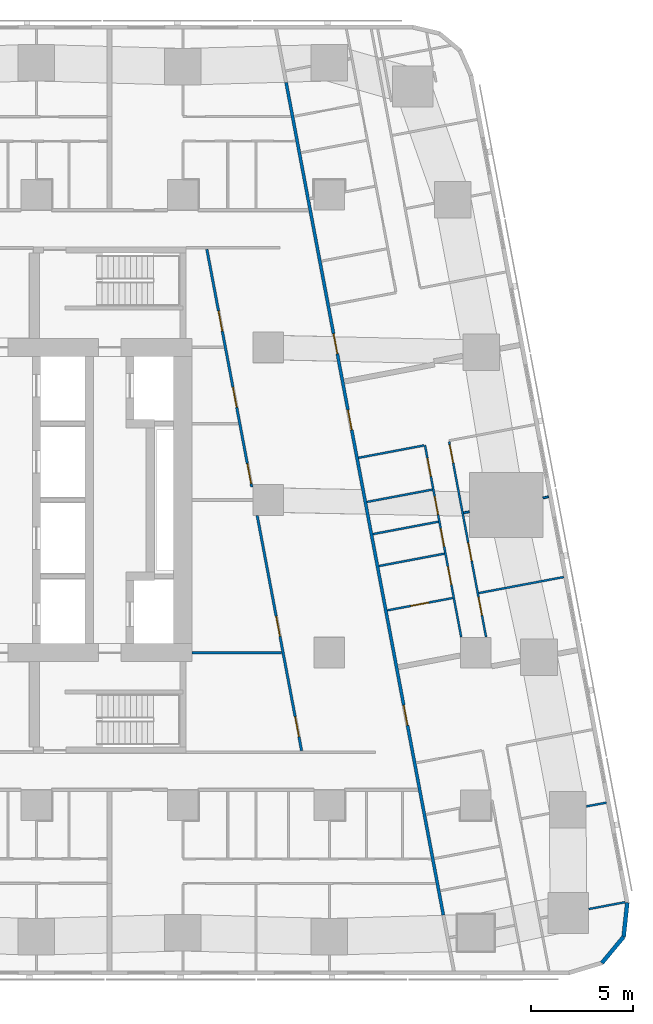
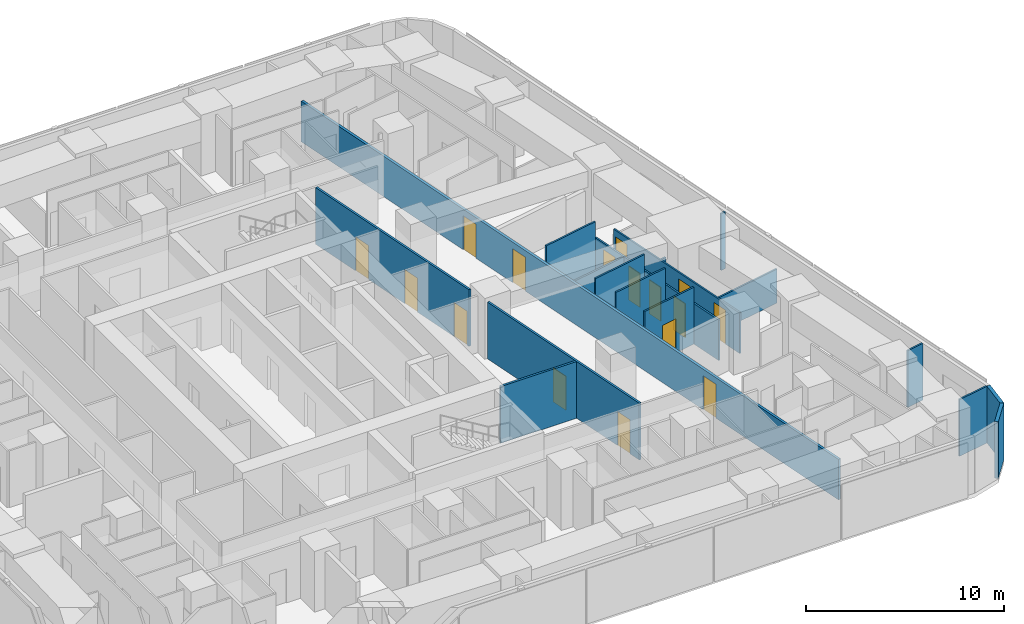
# One storey, part 7 of 15: 18 walls, 16 doors, 16 openings.
"""IFC4 building model written with IfcOpenShell, lengths in metres."""

from ifc_helpers import new_model, si_unit, direction, frame, frame_2d, origin, place, context, subcontext, project, spatial, rectangle, extrude, material, layer, layer_set, type_object, element, fill, save


model = new_model("IFC4")

# Units and contexts
model_context = context("Model", 3, precision=1e-05, world=origin(), true_north=direction((0.0, 1.0)))
body_context = subcontext(model_context, "Body", "Model", "MODEL_VIEW")
ifc_project = project(units=[si_unit("LENGTHUNIT", "METRE"), si_unit("AREAUNIT", "SQUARE_METRE"), si_unit("VOLUMEUNIT", "CUBIC_METRE"), si_unit("PLANEANGLEUNIT", "RADIAN"), si_unit("MASSUNIT", "GRAM", prefix="KILO")], contexts=[model_context])

# Site, building, storey
site_placement = place(None, origin())
site = spatial("IfcSite", under=ifc_project, at=site_placement, CompositionType="ELEMENT")
building_placement = place(site_placement, origin())
building = spatial("IfcBuilding", under=site, at=building_placement, Name="Sheger Commons Tower", CompositionType="ELEMENT")
storey_placement = place(building_placement, frame((0.0, 0.0, 150.800048828125)))
storey = spatial("IfcBuildingStorey", under=building, at=storey_placement, Name="L38", CompositionType="ELEMENT", Elevation=150.800048828125)

# Wall, openings, doors
ifc_material_1 = material(Name="Hollow concrete block masonry, skimmed both sides", Category="masonry")
ifc_layer_1 = layer(ifc_material_1, 0.14990234375)
ifc_layer_set_1 = layer_set([ifc_layer_1], Name="CORRIDOR WALL 150")
wall_type_1 = type_object("IfcWallType", Name="CORRIDOR WALL 150", PredefinedType="SOLIDWALL", material=ifc_layer_set_1)
wall_1_placement = place(storey_placement, frame((33.876953125, 43.029052734375, 0.0), z_axis=(0.0, 0.0, 1.0), x_axis=(0.185596841028, -0.98262597798, 0.0)))
wall_1 = element("IfcWall", 1, at=wall_1_placement, inside=storey, type_object=wall_type_1, Name="Corridor wall L38", PredefinedType="SOLIDWALL", context=body_context, shape_type="SweptSolid", body=[
    extrude(rectangle(XDim=41.659912109375, YDim=0.14990234375, at=frame_2d((20.830078125, 0.0))), origin(), (0.0, 0.0, 1.0), 2.5),
])
opening_1_placement = place(wall_1_placement, frame((12.570068359375, 0.0, 0.0)))
opening_1 = element("IfcOpeningElement", 2, at=opening_1_placement, cuts=wall_1, Name="Opening D1", PredefinedType="OPENING", context=body_context, shape_type="SweptSolid", body=[
    extrude(rectangle(XDim=1.0, YDim=2.10009765625, at=frame_2d((0.5, 1.050048828125))), frame((0.0, 0.0849609375, 0.0), z_axis=(0.0, -1.0, 0.0), x_axis=(1.0, 0.0, 0.0)), (0.0, 0.0, 1.0), 0.169921875),
])
opening_2_placement = place(wall_1_placement, frame((16.385986328125, 0.0, 0.0)))
opening_2 = element("IfcOpeningElement", 3, at=opening_2_placement, cuts=wall_1, Name="Opening D1", PredefinedType="OPENING", context=body_context, shape_type="SweptSolid", body=[
    extrude(rectangle(XDim=1.0, YDim=2.10009765625, at=frame_2d((0.5, 1.050048828125))), frame((0.0, 0.0849609375, 0.0), z_axis=(0.0, -1.0, 0.0), x_axis=(1.0, 0.0, 0.0)), (0.0, 0.0, 1.0), 0.169921875),
])
opening_3_placement = place(wall_1_placement, frame((31.166015625, 0.0, 0.0)))
opening_3 = element("IfcOpeningElement", 4, at=opening_3_placement, cuts=wall_1, Name="Opening D1", PredefinedType="OPENING", context=body_context, shape_type="SweptSolid", body=[
    extrude(rectangle(XDim=1.0, YDim=2.10009765625, at=frame_2d((0.5, 1.050048828125))), frame((0.0, 0.0849609375, 0.0), z_axis=(0.0, -1.0, 0.0), x_axis=(1.0, 0.0, 0.0)), (0.0, 0.0, 1.0), 0.169921875),
])
ifc_material_2 = material(Name="Steel door set, fire rated", Category="steel")
door_type_1 = type_object("IfcDoorType", Name="FLAT ENTRANCE DOOR 1000x2100", OperationType="NOTDEFINED", PredefinedType="DOOR", material=ifc_material_2)
door_1_placement = place(opening_1_placement, origin())
door_1 = element("IfcDoor", 5, at=door_1_placement, inside=storey, type_object=door_type_1, Name="Flat entrance door", OperationType="SINGLE_SWING_LEFT", OverallHeight=2.10009765625, OverallWidth=1.0, PredefinedType="DOOR", context=body_context, shape_type="SweptSolid", body=[
    extrude(rectangle(XDim=1.0, YDim=2.10009765625, at=frame_2d((0.5, 1.050048828125))), frame((0.0, 0.02490234375, 0.0), z_axis=(0.0, -1.0, 0.0), x_axis=(1.0, 0.0, 0.0)), (0.0, 0.0, 1.0), 0.050048828125),
])
fill(opening_1, door_1)
door_2_placement = place(opening_2_placement, origin())
door_2 = element("IfcDoor", 6, at=door_2_placement, inside=storey, type_object=door_type_1, Name="Flat entrance door", OperationType="SINGLE_SWING_RIGHT", OverallHeight=2.10009765625, OverallWidth=1.0, PredefinedType="DOOR", context=body_context, shape_type="SweptSolid", body=[
    extrude(rectangle(XDim=1.0, YDim=2.10009765625, at=frame_2d((0.5, 1.050048828125))), frame((0.0, 0.02490234375, 0.0), z_axis=(0.0, -1.0, 0.0), x_axis=(1.0, 0.0, 0.0)), (0.0, 0.0, 1.0), 0.050048828125),
])
fill(opening_2, door_2)
door_3_placement = place(opening_3_placement, origin())
door_3 = element("IfcDoor", 7, at=door_3_placement, inside=storey, type_object=door_type_1, Name="Flat entrance door", OperationType="SINGLE_SWING_LEFT", OverallHeight=2.10009765625, OverallWidth=1.0, PredefinedType="DOOR", context=body_context, shape_type="SweptSolid", body=[
    extrude(rectangle(XDim=1.0, YDim=2.10009765625, at=frame_2d((0.5, 1.050048828125))), frame((0.0, 0.02490234375, 0.0), z_axis=(0.0, -1.0, 0.0), x_axis=(1.0, 0.0, 0.0)), (0.0, 0.0, 1.0), 0.050048828125),
])
fill(opening_3, door_3)

# Walls
ifc_material_3 = material(Name="Rendered concrete block masonry, dark grey", Category="masonry")
ifc_layer_2 = layer(ifc_material_3, 0.199951171875)
ifc_layer_set_2 = layer_set([ifc_layer_2], Name="FACADE WALL 200")
wall_type_2 = type_object("IfcWallType", Name="FACADE WALL 200", PredefinedType="SOLIDWALL", material=ifc_layer_set_2)
wall_2_placement = place(storey_placement, frame((49.406982421875, -0.262939453125, 0.0), z_axis=(0.0, 0.0, 1.0), x_axis=(0.638042593423, 0.770001070764, 0.0)))
element("IfcWall", 8, at=wall_2_placement, inside=storey, type_object=wall_type_2, Name="Facade wall L38", PredefinedType="SOLIDWALL", context=body_context, shape_type="SweptSolid", body=[
    extrude(rectangle(XDim=1.672607421875, YDim=0.199951171875, at=frame_2d((0.83642578125, 0.0))), origin(), (0.0, 0.0, 1.0), 3.5),
])
wall_3_placement = place(storey_placement, frame((50.47412109375, 1.02490234375, 0.0), z_axis=(0.0, 0.0, 1.0), x_axis=(0.106047815515, 0.994361031429, 0.0)))
element("IfcWall", 9, at=wall_3_placement, inside=storey, type_object=wall_type_2, Name="Facade wall L38", PredefinedType="SOLIDWALL", context=body_context, shape_type="SweptSolid", body=[
    extrude(rectangle(XDim=1.6875, YDim=0.199951171875, at=frame_2d((0.84375, 0.0))), origin(), (0.0, 0.0, 1.0), 3.5),
])

# Wall, openings, doors
ifc_material_4 = material(Name="Gypsum board on steel studs", Category="steel")
ifc_layer_3 = layer(ifc_material_4, 0.10009765625)
ifc_layer_set_3 = layer_set([ifc_layer_3], Name="PARTITION 100")
wall_type_3 = type_object("IfcWallType", Name="PARTITION 100", PredefinedType="PARTITIONING", material=ifc_layer_set_3)
wall_4_placement = place(storey_placement, frame((41.89404296875, 25.365966796875, 0.0), z_axis=(0.0, 0.0, 1.0), x_axis=(0.1856544654, -0.982615092229, 0.0)))
wall_4 = element("IfcWall", 10, at=wall_4_placement, inside=storey, type_object=wall_type_3, Name="Partition L38", PredefinedType="PARTITIONING", context=body_context, shape_type="SweptSolid", body=[
    extrude(rectangle(XDim=9.77587890625, YDim=0.10009765625, at=frame_2d((4.887939453125, 0.0))), origin(), (0.0, 0.0, 1.0), 2.5),
])
opening_4_placement = place(wall_4_placement, frame((0.15087890625, 0.0, 0.0)))
opening_4 = element("IfcOpeningElement", 11, at=opening_4_placement, cuts=wall_4, Name="Opening D2", PredefinedType="OPENING", context=body_context, shape_type="SweptSolid", body=[
    extrude(rectangle(XDim=0.89990234375, YDim=2.10009765625, at=frame_2d((0.449951171875, 1.050048828125))), frame((0.0, 0.06005859375, 0.0), z_axis=(0.0, -1.0, 0.0), x_axis=(1.0, 0.0, 0.0)), (0.0, 0.0, 1.0), 0.1201171875),
])
opening_5_placement = place(wall_4_placement, frame((5.050048828125, 0.0, 0.0)))
opening_5 = element("IfcOpeningElement", 12, at=opening_5_placement, cuts=wall_4, Name="Opening D2", PredefinedType="OPENING", context=body_context, shape_type="SweptSolid", body=[
    extrude(rectangle(XDim=0.89990234375, YDim=2.10009765625, at=frame_2d((0.449951171875, 1.050048828125))), frame((0.0, 0.06005859375, 0.0), z_axis=(0.0, -1.0, 0.0), x_axis=(1.0, 0.0, 0.0)), (0.0, 0.0, 1.0), 0.1201171875),
])
opening_6_placement = place(wall_4_placement, frame((7.782958984375, 0.0, 0.0)))
opening_6 = element("IfcOpeningElement", 13, at=opening_6_placement, cuts=wall_4, Name="Opening D2", PredefinedType="OPENING", context=body_context, shape_type="SweptSolid", body=[
    extrude(rectangle(XDim=0.89990234375, YDim=2.10009765625, at=frame_2d((0.449951171875, 1.050048828125))), frame((0.0, 0.06005859375, 0.0), z_axis=(0.0, -1.0, 0.0), x_axis=(1.0, 0.0, 0.0)), (0.0, 0.0, 1.0), 0.1201171875),
])
ifc_material_5 = material(Name="Timber door set", Category="wood")
door_type_2 = type_object("IfcDoorType", Name="INTERNAL DOOR 900x2100", OperationType="NOTDEFINED", PredefinedType="DOOR", material=ifc_material_5)
door_4_placement = place(opening_4_placement, origin())
door_4 = element("IfcDoor", 14, at=door_4_placement, inside=storey, type_object=door_type_2, Name="Main bedroom door", OperationType="SINGLE_SWING_LEFT", OverallHeight=2.10009765625, OverallWidth=0.89990234375, PredefinedType="DOOR", context=body_context, shape_type="SweptSolid", body=[
    extrude(rectangle(XDim=0.89990234375, YDim=2.10009765625, at=frame_2d((0.449951171875, 1.050048828125))), frame((0.0, 0.02490234375, 0.0), z_axis=(0.0, -1.0, 0.0), x_axis=(1.0, 0.0, 0.0)), (0.0, 0.0, 1.0), 0.050048828125),
])
fill(opening_4, door_4)
door_5_placement = place(opening_5_placement, origin())
door_5 = element("IfcDoor", 15, at=door_5_placement, inside=storey, type_object=door_type_2, Name="Bedroom 2 door", OperationType="SINGLE_SWING_LEFT", OverallHeight=2.10009765625, OverallWidth=0.89990234375, PredefinedType="DOOR", context=body_context, shape_type="SweptSolid", body=[
    extrude(rectangle(XDim=0.89990234375, YDim=2.10009765625, at=frame_2d((0.449951171875, 1.050048828125))), frame((0.0, 0.02490234375, 0.0), z_axis=(0.0, -1.0, 0.0), x_axis=(1.0, 0.0, 0.0)), (0.0, 0.0, 1.0), 0.050048828125),
])
fill(opening_5, door_5)
door_6_placement = place(opening_6_placement, origin())
door_6 = element("IfcDoor", 16, at=door_6_placement, inside=storey, type_object=door_type_2, Name="Bedroom 3 door", OperationType="SINGLE_SWING_LEFT", OverallHeight=2.10009765625, OverallWidth=0.89990234375, PredefinedType="DOOR", context=body_context, shape_type="SweptSolid", body=[
    extrude(rectangle(XDim=0.89990234375, YDim=2.10009765625, at=frame_2d((0.449951171875, 1.050048828125))), frame((0.0, 0.02490234375, 0.0), z_axis=(0.0, -1.0, 0.0), x_axis=(1.0, 0.0, 0.0)), (0.0, 0.0, 1.0), 0.050048828125),
])
fill(opening_6, door_6)

wall_5_placement = place(storey_placement, frame((40.7060546875, 25.19189453125, 0.0), z_axis=(0.0, 0.0, 1.0), x_axis=(0.185610321375, -0.982623431737, 0.0)))
wall_5 = element("IfcWall", 17, at=wall_5_placement, inside=storey, type_object=wall_type_3, Name="Partition L38", PredefinedType="PARTITIONING", context=body_context, shape_type="SweptSolid", body=[
    extrude(rectangle(XDim=9.6005859375, YDim=0.10009765625, at=frame_2d((4.80029296875, 0.0))), origin(), (0.0, 0.0, 1.0), 2.5),
])
opening_7_placement = place(wall_5_placement, frame((0.655029296875, 0.0, 0.0)))
opening_7 = element("IfcOpeningElement", 18, at=opening_7_placement, cuts=wall_5, Name="Opening D2", PredefinedType="OPENING", context=body_context, shape_type="SweptSolid", body=[
    extrude(rectangle(XDim=0.89990234375, YDim=2.10009765625, at=frame_2d((0.449951171875, 1.050048828125))), frame((0.0, 0.06005859375, 0.0), z_axis=(0.0, -1.0, 0.0), x_axis=(1.0, 0.0, 0.0)), (0.0, 0.0, 1.0), 0.1201171875),
])
opening_8_placement = place(wall_5_placement, frame((4.166015625, 0.0, 0.0)))
opening_8 = element("IfcOpeningElement", 19, at=opening_8_placement, cuts=wall_5, Name="Opening D2", PredefinedType="OPENING", context=body_context, shape_type="SweptSolid", body=[
    extrude(rectangle(XDim=0.89990234375, YDim=2.10009765625, at=frame_2d((0.449951171875, 1.050048828125))), frame((0.0, 0.06005859375, 0.0), z_axis=(0.0, -1.0, 0.0), x_axis=(1.0, 0.0, 0.0)), (0.0, 0.0, 1.0), 0.1201171875),
])
opening_9_placement = place(wall_5_placement, frame((2.56298828125, 0.0, 0.0)))
opening_9 = element("IfcOpeningElement", 20, at=opening_9_placement, cuts=wall_5, Name="Opening D2", PredefinedType="OPENING", context=body_context, shape_type="SweptSolid", body=[
    extrude(rectangle(XDim=0.89990234375, YDim=2.10009765625, at=frame_2d((0.449951171875, 1.050048828125))), frame((0.0, 0.06005859375, 0.0), z_axis=(0.0, -1.0, 0.0), x_axis=(1.0, 0.0, 0.0)), (0.0, 0.0, 1.0), 0.1201171875),
])
opening_10_placement = place(wall_5_placement, frame((6.073974609375, 0.0, 0.0)))
opening_10 = element("IfcOpeningElement", 21, at=opening_10_placement, cuts=wall_5, Name="Opening D2", PredefinedType="OPENING", context=body_context, shape_type="SweptSolid", body=[
    extrude(rectangle(XDim=0.89990234375, YDim=2.10009765625, at=frame_2d((0.449951171875, 1.050048828125))), frame((0.0, 0.06005859375, 0.0), z_axis=(0.0, -1.0, 0.0), x_axis=(1.0, 0.0, 0.0)), (0.0, 0.0, 1.0), 0.1201171875),
])
door_7_placement = place(opening_7_placement, origin())
door_7 = element("IfcDoor", 22, at=door_7_placement, inside=storey, type_object=door_type_2, Name="Bathroom door", OperationType="SINGLE_SWING_RIGHT", OverallHeight=2.10009765625, OverallWidth=0.89990234375, PredefinedType="DOOR", context=body_context, shape_type="SweptSolid", body=[
    extrude(rectangle(XDim=0.89990234375, YDim=2.10009765625, at=frame_2d((0.449951171875, 1.050048828125))), frame((0.0, 0.02490234375, 0.0), z_axis=(0.0, -1.0, 0.0), x_axis=(1.0, 0.0, 0.0)), (0.0, 0.0, 1.0), 0.050048828125),
])
fill(opening_7, door_7)
door_8_placement = place(opening_8_placement, origin())
door_8 = element("IfcDoor", 23, at=door_8_placement, inside=storey, type_object=door_type_2, Name="Shower room door", OperationType="SINGLE_SWING_LEFT", OverallHeight=2.10009765625, OverallWidth=0.89990234375, PredefinedType="DOOR", context=body_context, shape_type="SweptSolid", body=[
    extrude(rectangle(XDim=0.89990234375, YDim=2.10009765625, at=frame_2d((0.449951171875, 1.050048828125))), frame((0.0, 0.02490234375, 0.0), z_axis=(0.0, -1.0, 0.0), x_axis=(1.0, 0.0, 0.0)), (0.0, 0.0, 1.0), 0.050048828125),
])
fill(opening_8, door_8)
door_9_placement = place(opening_9_placement, origin())
door_9 = element("IfcDoor", 24, at=door_9_placement, inside=storey, type_object=door_type_2, Name="Store door", OperationType="SINGLE_SWING_LEFT", OverallHeight=2.10009765625, OverallWidth=0.89990234375, PredefinedType="DOOR", context=body_context, shape_type="SweptSolid", body=[
    extrude(rectangle(XDim=0.89990234375, YDim=2.10009765625, at=frame_2d((0.449951171875, 1.050048828125))), frame((0.0, 0.02490234375, 0.0), z_axis=(0.0, -1.0, 0.0), x_axis=(1.0, 0.0, 0.0)), (0.0, 0.0, 1.0), 0.050048828125),
])
fill(opening_9, door_9)
door_10_placement = place(opening_10_placement, origin())
door_10 = element("IfcDoor", 25, at=door_10_placement, inside=storey, type_object=door_type_2, Name="Store door", OperationType="SINGLE_SWING_RIGHT", OverallHeight=2.10009765625, OverallWidth=0.89990234375, PredefinedType="DOOR", context=body_context, shape_type="SweptSolid", body=[
    extrude(rectangle(XDim=0.89990234375, YDim=2.10009765625, at=frame_2d((0.449951171875, 1.050048828125))), frame((0.0, 0.02490234375, 0.0), z_axis=(0.0, -1.0, 0.0), x_axis=(1.0, 0.0, 0.0)), (0.0, 0.0, 1.0), 0.050048828125),
])
fill(opening_10, door_10)

# Walls
wall_6_placement = place(storey_placement, frame((46.781982421875, 22.656982421875, 0.0), z_axis=(0.0, 0.0, 1.0), x_axis=(-0.982574553168, -0.185868898601, 0.0)))
element("IfcWall", 26, at=wall_6_placement, inside=storey, type_object=wall_type_3, Name="Partition L38", PredefinedType="PARTITIONING", context=body_context, shape_type="SweptSolid", body=[
    extrude(rectangle(XDim=0.27978515625, YDim=0.10009765625, at=frame_2d((0.139892578125, 0.0))), origin(), (0.0, 0.0, 1.0), 3.5),
])
wall_7_placement = place(storey_placement, frame((42.886962890625, 21.9208984375, 0.0), z_axis=(0.0, 0.0, 1.0), x_axis=(-0.982688058078, -0.185267861514, 0.0)))
element("IfcWall", 27, at=wall_7_placement, inside=storey, type_object=wall_type_3, Name="Partition L38", PredefinedType="PARTITIONING", context=body_context, shape_type="SweptSolid", body=[
    extrude(rectangle(XDim=0.285888671875, YDim=0.10009765625, at=frame_2d((0.14306640625, 0.0))), origin(), (0.0, 0.0, 1.0), 2.5),
])
wall_8_placement = place(storey_placement, frame((47.527099609375, 18.7119140625, 0.0), z_axis=(0.0, 0.0, 1.0), x_axis=(-0.982665405803, -0.185387972203, 0.0)))
element("IfcWall", 28, at=wall_8_placement, inside=storey, type_object=wall_type_3, Name="Partition L38", PredefinedType="PARTITIONING", context=body_context, shape_type="SweptSolid", body=[
    extrude(rectangle(XDim=4.249755859375, YDim=0.10009765625, at=frame_2d((2.125, 0.0))), origin(), (0.0, 0.0, 1.0), 2.099853515625),
])
for number, where, z_axis, x_axis, name in (
    (29, (40.656982421875, 25.18310546875, 0.0), (0.0, 0.0, 1.0), (-0.982607026909, -0.185697147715, 0.0), "Partition L38"),
    (30, (41.364990234375, 21.43310546875, 0.0), (0.0, 0.0, 1.0), (-0.982607026909, -0.185697147715, 0.0), "Partition L38"),
):
    element("IfcWall", number, at=place(storey_placement, frame(where, z_axis=z_axis, x_axis=x_axis)), inside=storey, type_object=wall_type_3, Name=name, PredefinedType="PARTITIONING", context=body_context, shape_type="SweptSolid", body=[
        extrude(rectangle(XDim=3.27490234375, YDim=0.10009765625, at=frame_2d((1.637451171875, 0.0))), origin(), (0.0, 0.0, 1.0), 3.5),
    ])

# Wall, opening, door
wall_9_placement = place(storey_placement, frame((42.072998046875, 17.681884765625, 0.0), z_axis=(0.0, 0.0, 1.0), x_axis=(-0.982610347627, -0.185679575441, 0.0)))
wall_9 = element("IfcWall", 31, at=wall_9_placement, inside=storey, type_object=wall_type_3, Name="Partition L38", PredefinedType="PARTITIONING", context=body_context, shape_type="SweptSolid", body=[
    extrude(rectangle(XDim=3.27392578125, YDim=0.10009765625, at=frame_2d((1.636962890625, 0.0))), origin(), (0.0, 0.0, 1.0), 3.5),
])
opening_11_placement = place(wall_9_placement, frame((1.199951171875, 0.0, 0.0)))
opening_11 = element("IfcOpeningElement", 32, at=opening_11_placement, cuts=wall_9, Name="Opening D2", PredefinedType="OPENING", context=body_context, shape_type="SweptSolid", body=[
    extrude(rectangle(XDim=0.89990234375, YDim=2.10009765625, at=frame_2d((0.449951171875, 1.050048828125))), frame((0.0, 0.06005859375, 0.0), z_axis=(0.0, -1.0, 0.0), x_axis=(1.0, 0.0, 0.0)), (0.0, 0.0, 1.0), 0.1201171875),
])
door_11_placement = place(opening_11_placement, origin())
door_11 = element("IfcDoor", 33, at=door_11_placement, inside=storey, type_object=door_type_2, Name="Store door", OperationType="SINGLE_SWING_LEFT", OverallHeight=2.10009765625, OverallWidth=0.89990234375, PredefinedType="DOOR", context=body_context, shape_type="SweptSolid", body=[
    extrude(rectangle(XDim=0.89990234375, YDim=2.10009765625, at=frame_2d((0.449951171875, 1.050048828125))), frame((0.0, 0.02490234375, 0.0), z_axis=(0.0, -1.0, 0.0), x_axis=(1.0, 0.0, 0.0)), (0.0, 0.0, 1.0), 0.050048828125),
])
fill(opening_11, door_11)

# Walls
wall_10_placement = place(storey_placement, frame((41.06689453125, 23.010986328125, 0.0), z_axis=(0.0, 0.0, 1.0), x_axis=(-0.982618057925, -0.185638768151, 0.0)))
element("IfcWall", 34, at=wall_10_placement, inside=storey, type_object=wall_type_3, Name="Partition L38", PredefinedType="PARTITIONING", context=body_context, shape_type="SweptSolid", body=[
    extrude(rectangle(XDim=3.274658203125, YDim=0.10009765625, at=frame_2d((1.63720703125, 0.0))), origin(), (0.0, 0.0, 1.0), 2.5),
])
wall_11_placement = place(storey_placement, frame((41.662109375, 19.861083984375, 0.0), z_axis=(0.0, 0.0, 1.0), x_axis=(-0.982607026909, -0.185697147715, 0.0)))
element("IfcWall", 35, at=wall_11_placement, inside=storey, type_object=wall_type_3, Name="Partition L38", PredefinedType="PARTITIONING", context=body_context, shape_type="SweptSolid", body=[
    extrude(rectangle(XDim=3.27490234375, YDim=0.10009765625, at=frame_2d((1.637451171875, 0.0))), origin(), (0.0, 0.0, 1.0), 3.5),
])
wall_12_placement = place(storey_placement, frame((49.6220703125, 7.6201171875, 0.0), z_axis=(0.0, 0.0, 1.0), x_axis=(-0.982708646087, -0.185158626332, 0.0)))
element("IfcWall", 36, at=wall_12_placement, inside=storey, type_object=wall_type_3, Name="Partition L38", PredefinedType="PARTITIONING", context=body_context, shape_type="SweptSolid", body=[
    extrude(rectangle(XDim=0.99951171875, YDim=0.10009765625, at=frame_2d((0.499755859375, 0.0))), origin(), (0.0, 0.0, 1.0), 3.5),
])
wall_13_placement = place(storey_placement, frame((50.547119140625, 2.72607421875, 0.0), z_axis=(0.0, 0.0, 1.0), x_axis=(-0.982603988143, -0.185713226471, 0.0)))
element("IfcWall", 37, at=wall_13_placement, inside=storey, type_object=wall_type_3, Name="Partition L38", PredefinedType="PARTITIONING", context=body_context, shape_type="SweptSolid", body=[
    extrude(rectangle(XDim=1.82080078125, YDim=0.10009765625, at=frame_2d((0.910400390625, 0.0))), origin(), (0.0, 0.0, 1.0), 3.5),
])

# Wall, openings, doors
ifc_material_6 = material(Name="Gypsum board on steel studs, two layers each side, fire rated", Category="steel")
ifc_layer_4 = layer(ifc_material_6, 0.125)
ifc_layer_set_4 = layer_set([ifc_layer_4], Name="SERVICE WALL 125")
wall_type_4 = type_object("IfcWallType", Name="SERVICE WALL 125", PredefinedType="PARTITIONING", material=ifc_layer_set_4)
wall_14_placement = place(storey_placement, frame((34.637939453125, 10.174072265625, 0.0), z_axis=(0.0, 0.0, 1.0), x_axis=(-0.185583626094, 0.982628473903, 0.0)))
wall_14 = element("IfcWall", 38, at=wall_14_placement, inside=storey, type_object=wall_type_4, Name="Service room wall L38", PredefinedType="PARTITIONING", context=body_context, shape_type="SweptSolid", body=[
    extrude(rectangle(XDim=11.767333984375, YDim=0.125, at=frame_2d((5.8837890625, 0.0))), origin(), (0.0, 0.0, 1.0), 3.5),
])
opening_12_placement = place(wall_14_placement, frame((0.697021484375, 0.0, 0.0)))
opening_12 = element("IfcOpeningElement", 39, at=opening_12_placement, cuts=wall_14, Name="Opening D4", PredefinedType="OPENING", context=body_context, shape_type="SweptSolid", body=[
    extrude(rectangle(XDim=1.0, YDim=2.10009765625, at=frame_2d((0.5, 1.050048828125))), frame((0.0, 0.072509765625, 0.0), z_axis=(0.0, -1.0, 0.0), x_axis=(1.0, 0.0, 0.0)), (0.0, 0.0, 1.0), 0.14501953125),
])
opening_13_placement = place(wall_14_placement, frame((5.73388671875, 0.0, 0.0)))
opening_13 = element("IfcOpeningElement", 40, at=opening_13_placement, cuts=wall_14, Name="Opening D4", PredefinedType="OPENING", context=body_context, shape_type="SweptSolid", body=[
    extrude(rectangle(XDim=1.0, YDim=2.10009765625, at=frame_2d((0.5, 1.050048828125))), frame((0.0, 0.072509765625, 0.0), z_axis=(0.0, -1.0, 0.0), x_axis=(1.0, 0.0, 0.0)), (0.0, 0.0, 1.0), 0.14501953125),
])
ifc_material_7 = material(Name="Steel door set, fire rated", Category="steel")
door_type_3 = type_object("IfcDoorType", Name="SERVICE DOOR 1000x2100", OperationType="NOTDEFINED", PredefinedType="DOOR", material=ifc_material_7)
door_12_placement = place(opening_12_placement, origin())
door_12 = element("IfcDoor", 41, at=door_12_placement, inside=storey, type_object=door_type_3, Name="Residents' meeting room door", OperationType="SINGLE_SWING_LEFT", OverallHeight=2.10009765625, OverallWidth=1.0, PredefinedType="DOOR", context=body_context, shape_type="SweptSolid", body=[
    extrude(rectangle(XDim=1.0, YDim=2.10009765625, at=frame_2d((0.5, 1.050048828125))), frame((0.0, 0.02490234375, 0.0), z_axis=(0.0, -1.0, 0.0), x_axis=(1.0, 0.0, 0.0)), (0.0, 0.0, 1.0), 0.050048828125),
])
fill(opening_12, door_12)
door_13_placement = place(opening_13_placement, origin())
door_13 = element("IfcDoor", 42, at=door_13_placement, inside=storey, type_object=door_type_3, Name="Children's play room door", OperationType="SINGLE_SWING_LEFT", OverallHeight=2.10009765625, OverallWidth=1.0, PredefinedType="DOOR", context=body_context, shape_type="SweptSolid", body=[
    extrude(rectangle(XDim=1.0, YDim=2.10009765625, at=frame_2d((0.5, 1.050048828125))), frame((0.0, 0.02490234375, 0.0), z_axis=(0.0, -1.0, 0.0), x_axis=(1.0, 0.0, 0.0)), (0.0, 0.0, 1.0), 0.050048828125),
])
fill(opening_13, door_13)

wall_15_placement = place(storey_placement, frame((32.18798828125, 23.14111328125, 0.0), z_axis=(0.0, 0.0, 1.0), x_axis=(-0.185598625075, 0.98262564101, 0.0)))
wall_15 = element("IfcWall", 43, at=wall_15_placement, inside=storey, type_object=wall_type_4, Name="Service room wall L38", PredefinedType="PARTITIONING", context=body_context, shape_type="SweptSolid", body=[
    extrude(rectangle(XDim=11.891357421875, YDim=0.125, at=frame_2d((5.94580078125, 0.0))), origin(), (0.0, 0.0, 1.0), 3.5),
])
opening_14_placement = place(wall_15_placement, frame((0.1708984375, 0.0, 0.0)))
opening_14 = element("IfcOpeningElement", 44, at=opening_14_placement, cuts=wall_15, Name="Opening D4", PredefinedType="OPENING", context=body_context, shape_type="SweptSolid", body=[
    extrude(rectangle(XDim=1.0, YDim=2.10009765625, at=frame_2d((0.5, 1.050048828125))), frame((0.0, 0.072509765625, 0.0), z_axis=(0.0, -1.0, 0.0), x_axis=(1.0, 0.0, 0.0)), (0.0, 0.0, 1.0), 0.14501953125),
])
opening_15_placement = place(wall_15_placement, frame((3.987060546875, 0.0, 0.0)))
opening_15 = element("IfcOpeningElement", 45, at=opening_15_placement, cuts=wall_15, Name="Opening D4", PredefinedType="OPENING", context=body_context, shape_type="SweptSolid", body=[
    extrude(rectangle(XDim=1.0, YDim=2.10009765625, at=frame_2d((0.5, 1.050048828125))), frame((0.0, 0.072509765625, 0.0), z_axis=(0.0, -1.0, 0.0), x_axis=(1.0, 0.0, 0.0)), (0.0, 0.0, 1.0), 0.14501953125),
])
opening_16_placement = place(wall_15_placement, frame((7.802978515625, 0.0, 0.0)))
opening_16 = element("IfcOpeningElement", 46, at=opening_16_placement, cuts=wall_15, Name="Opening D4", PredefinedType="OPENING", context=body_context, shape_type="SweptSolid", body=[
    extrude(rectangle(XDim=1.0, YDim=2.10009765625, at=frame_2d((0.5, 1.050048828125))), frame((0.0, 0.072509765625, 0.0), z_axis=(0.0, -1.0, 0.0), x_axis=(1.0, 0.0, 0.0)), (0.0, 0.0, 1.0), 0.14501953125),
])
door_14_placement = place(opening_14_placement, origin())
door_14 = element("IfcDoor", 47, at=door_14_placement, inside=storey, type_object=door_type_3, Name="Caretaker's store door", OperationType="SINGLE_SWING_LEFT", OverallHeight=2.10009765625, OverallWidth=1.0, PredefinedType="DOOR", context=body_context, shape_type="SweptSolid", body=[
    extrude(rectangle(XDim=1.0, YDim=2.10009765625, at=frame_2d((0.5, 1.050048828125))), frame((0.0, 0.02490234375, 0.0), z_axis=(0.0, -1.0, 0.0), x_axis=(1.0, 0.0, 0.0)), (0.0, 0.0, 1.0), 0.050048828125),
])
fill(opening_14, door_14)
door_15_placement = place(opening_15_placement, origin())
door_15 = element("IfcDoor", 48, at=door_15_placement, inside=storey, type_object=door_type_3, Name="Residents' store door", OperationType="SINGLE_SWING_LEFT", OverallHeight=2.10009765625, OverallWidth=1.0, PredefinedType="DOOR", context=body_context, shape_type="SweptSolid", body=[
    extrude(rectangle(XDim=1.0, YDim=2.10009765625, at=frame_2d((0.5, 1.050048828125))), frame((0.0, 0.02490234375, 0.0), z_axis=(0.0, -1.0, 0.0), x_axis=(1.0, 0.0, 0.0)), (0.0, 0.0, 1.0), 0.050048828125),
])
fill(opening_15, door_15)
door_16_placement = place(opening_16_placement, origin())
door_16 = element("IfcDoor", 49, at=door_16_placement, inside=storey, type_object=door_type_3, Name="Parcel and delivery room door", OperationType="SINGLE_SWING_LEFT", OverallHeight=2.10009765625, OverallWidth=1.0, PredefinedType="DOOR", context=body_context, shape_type="SweptSolid", body=[
    extrude(rectangle(XDim=1.0, YDim=2.10009765625, at=frame_2d((0.5, 1.050048828125))), frame((0.0, 0.02490234375, 0.0), z_axis=(0.0, -1.0, 0.0), x_axis=(1.0, 0.0, 0.0)), (0.0, 0.0, 1.0), 0.050048828125),
])
fill(opening_16, door_16)

# Wall
wall_16_placement = place(storey_placement, frame((29.25, 15.0, 0.0), z_axis=(0.0, 0.0, 1.0), x_axis=(1.0, 0.0, 0.0)))
element("IfcWall", 50, at=wall_16_placement, inside=storey, type_object=wall_type_4, Name="Service room wall L38", PredefinedType="PARTITIONING", context=body_context, shape_type="SweptSolid", body=[
    extrude(rectangle(XDim=4.4130859375, YDim=0.125, at=frame_2d((2.20654296875, 0.0))), origin(), (0.0, 0.0, 1.0), 3.5),
])

save(model, "model.ifc")
